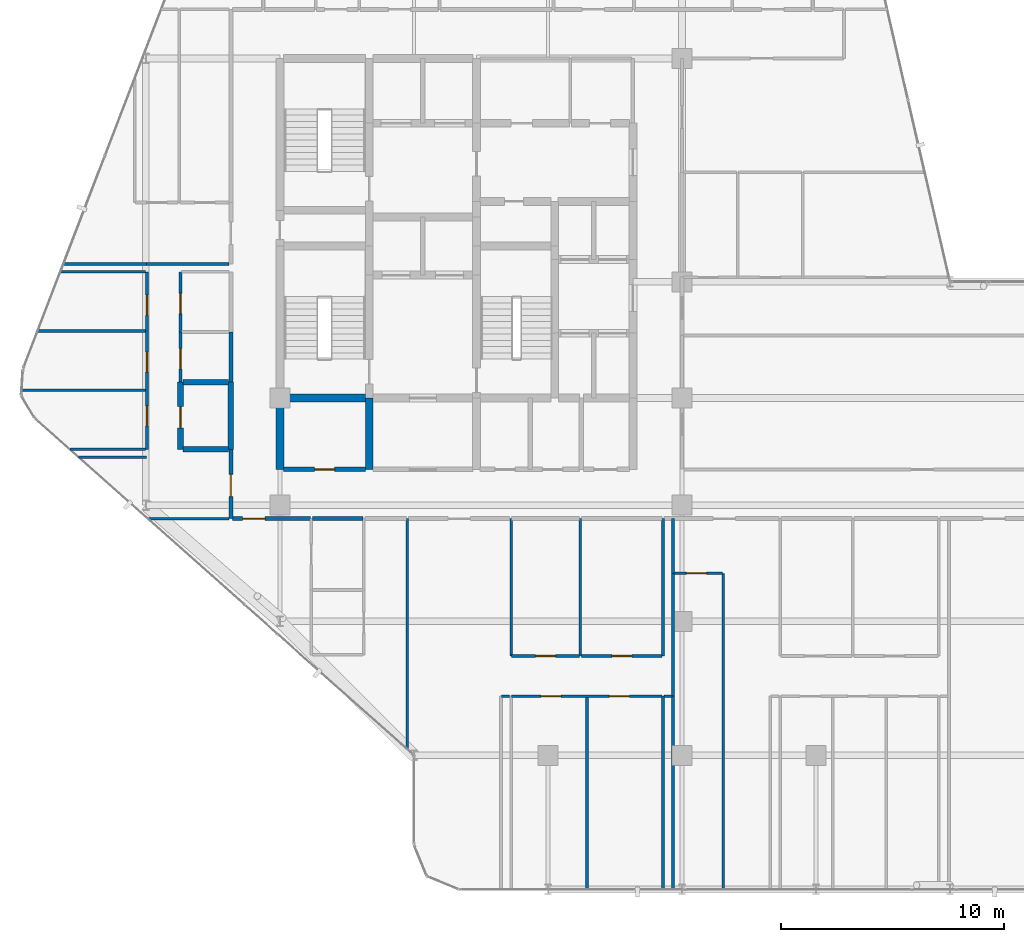
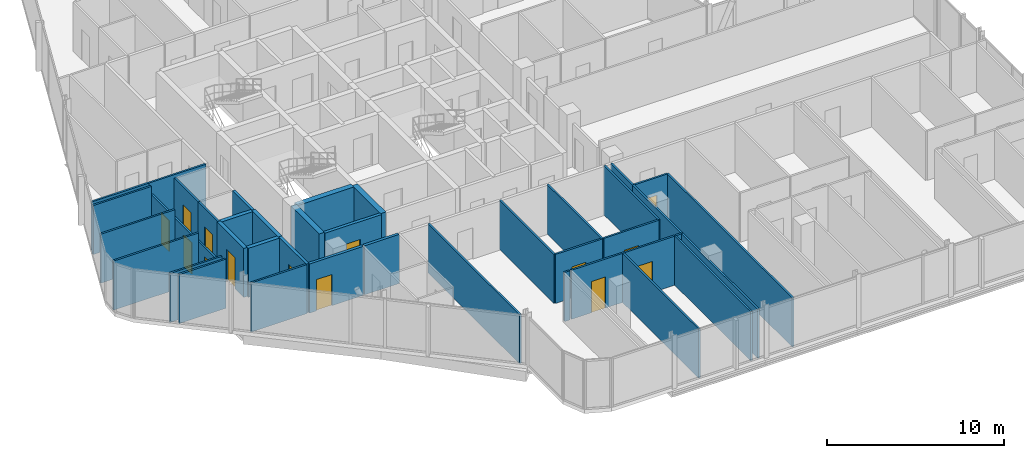
# One storey, part 23 of 29: 39 walls, 14 doors, 14 openings.
"""IFC4 building model written with IfcOpenShell, lengths in metres."""

from ifc_helpers import new_model, si_unit, direction, frame, frame_2d, origin, place, context, subcontext, project, spatial, rectangle, extrude, material, layer, layer_set, type_object, element, fill, save


model = new_model("IFC4")

# Units and contexts
model_context = context("Model", 3, precision=1e-05, world=origin(), true_north=direction((0.0, 1.0)))
body_context = subcontext(model_context, "Body", "Model", "MODEL_VIEW")
ifc_project = project(units=[si_unit("LENGTHUNIT", "METRE"), si_unit("AREAUNIT", "SQUARE_METRE"), si_unit("VOLUMEUNIT", "CUBIC_METRE"), si_unit("PLANEANGLEUNIT", "RADIAN"), si_unit("MASSUNIT", "GRAM", prefix="KILO")], contexts=[model_context])

# Site, building, storey
site_placement = place(None, origin())
site = spatial("IfcSite", under=ifc_project, at=site_placement, CompositionType="ELEMENT")
building_placement = place(site_placement, origin())
building = spatial("IfcBuilding", under=site, at=building_placement, Name="Keshet Zoharim Tower", CompositionType="ELEMENT")
storey_placement = place(building_placement, frame((0.0, 0.0, 180.199951171875)))
storey = spatial("IfcBuildingStorey", under=building, at=storey_placement, Name="L44", CompositionType="ELEMENT", Elevation=180.199951171875)

# Walls
ifc_material_1 = material(Name="Concrete C60/75", Category="concrete")
ifc_layer_1 = layer(ifc_material_1, 0.35009765625)
ifc_layer_set_1 = layer_set([ifc_layer_1], Name="Concrete C60/75")
wall_type_1 = type_object("IfcWallType", Name="WL-CORE-350", PredefinedType="SHEAR", material=ifc_layer_set_1)
for number, where, z_axis, x_axis, name in (
    (1, (15.0, 19.5, 0.0), (0.0, 0.0, 1.0), (0.0, 1.0, 0.0), "L44 Core Shear Wall 015"),
    (2, (19.0, 19.5, 0.0), (0.0, 0.0, 1.0), (0.0, 1.0, 0.0), "L44 Core Shear Wall 026"),
):
    element("IfcWall", number, at=place(storey_placement, frame(where, z_axis=z_axis, x_axis=x_axis)), inside=storey, type_object=wall_type_1, Name=name, PredefinedType="SHEAR", context=body_context, shape_type="SweptSolid", body=[
        extrude(rectangle(XDim=3.199951171875, YDim=0.35009765625, at=frame_2d((1.60009765625, 0.0))), origin(), (0.0, 0.0, 1.0), 3.380126953125),
    ])
wall_1_placement = place(storey_placement, frame((15.159912109375, 22.699951171875, 0.0), z_axis=(0.0, 0.0, 1.0), x_axis=(1.0, 0.0, 0.0)))
element("IfcWall", 3, at=wall_1_placement, inside=storey, type_object=wall_type_1, Name="L44 Core Shear Wall 144", PredefinedType="SHEAR", context=body_context, shape_type="SweptSolid", body=[
    extrude(rectangle(XDim=3.68017578125, YDim=0.35009765625, at=frame_2d((1.840087890625, 0.0))), origin(), (0.0, 0.0, 1.0), 3.380126953125),
])

# Wall, opening, door
ifc_material_2 = material(Name="Gypsum Plasterboard", Category="gypsum")
ifc_layer_2 = layer(ifc_material_2, 0.179931640625)
ifc_layer_set_2 = layer_set([ifc_layer_2], Name="Gypsum Plasterboard")
wall_type_2 = type_object("IfcWallType", Name="WL-CORR-180", PredefinedType="STANDARD", material=ifc_layer_set_2)
wall_2_placement = place(storey_placement, frame((12.800048828125, 17.300048828125, 0.0), z_axis=(0.0, 0.0, 1.0), x_axis=(0.0, 1.0, 0.0)))
wall_2 = element("IfcWall", 4, at=wall_2_placement, inside=storey, type_object=wall_type_2, Name="L44 Interior Wall 007", PredefinedType="STANDARD", context=body_context, shape_type="SweptSolid", body=[
    extrude(rectangle(XDim=3.099853515625, YDim=0.179931640625, at=frame_2d((1.5498046875, 0.0))), origin(), (0.0, 0.0, 1.0), 3.380126953125),
])
opening_1_placement = place(wall_2_placement, frame((0.97802734375, 0.0, 0.0)))
opening_1 = element("IfcOpeningElement", 5, at=opening_1_placement, cuts=wall_2, Name="Opening D-F310", PredefinedType="OPENING", context=body_context, shape_type="SweptSolid", body=[
    extrude(rectangle(XDim=1.0, YDim=2.14990234375, at=frame_2d((0.5, 1.074951171875))), frame((0.0, 0.10009765625, 0.0), z_axis=(0.0, -1.0, 0.0), x_axis=(1.0, 0.0, 0.0)), (0.0, 0.0, 1.0), 0.199951171875),
])
ifc_material_3 = material(Name="Hardwood Timber", Category="wood")
door_type_1 = type_object("IfcDoorType", Name="DR-FD30-100", OperationType="NOTDEFINED", PredefinedType="DOOR", material=ifc_material_3)
door_1_placement = place(opening_1_placement, origin())
door_1 = element("IfcDoor", 6, at=door_1_placement, inside=storey, type_object=door_type_1, Name="Apartment 4409 Entrance Door", OperationType="SINGLE_SWING_RIGHT", OverallHeight=2.14990234375, OverallWidth=1.0, PredefinedType="DOOR", context=body_context, shape_type="SweptSolid", body=[
    extrude(rectangle(XDim=1.0, YDim=2.14990234375, at=frame_2d((0.5, 1.074951171875))), frame((0.0, 0.02490234375, 0.0), z_axis=(0.0, -1.0, 0.0), x_axis=(1.0, 0.0, 0.0)), (0.0, 0.0, 1.0), 0.050048828125),
])
fill(opening_1, door_1)

# Wall
wall_3_placement = place(storey_placement, frame((12.800048828125, 23.4208984375, 0.0), z_axis=(0.0, 0.0, 1.0), x_axis=(0.0, 1.0, 0.0)))
element("IfcWall", 7, at=wall_3_placement, inside=storey, type_object=wall_type_2, Name="L44 Interior Wall 009", PredefinedType="STANDARD", context=body_context, shape_type="SweptSolid", body=[
    extrude(rectangle(XDim=2.22607421875, YDim=0.179931640625, at=frame_2d((1.113037109375, 0.0))), origin(), (0.0, 0.0, 1.0), 3.380126953125),
])

# Wall, opening, door
wall_4_placement = place(storey_placement, frame((12.875, 17.300048828125, 0.0), z_axis=(0.0, 0.0, 1.0), x_axis=(1.0, 0.0, 0.0)))
wall_4 = element("IfcWall", 8, at=wall_4_placement, inside=storey, type_object=wall_type_2, Name="L44 Interior Wall 122", PredefinedType="STANDARD", context=body_context, shape_type="SweptSolid", body=[
    extrude(rectangle(XDim=3.5, YDim=0.179931640625, at=frame_2d((1.75, 0.0))), origin(), (0.0, 0.0, 1.0), 3.380126953125),
])
opening_2_placement = place(wall_4_placement, frame((0.458984375, 0.0, 0.0)))
opening_2 = element("IfcOpeningElement", 9, at=opening_2_placement, cuts=wall_4, Name="Opening D-F310", PredefinedType="OPENING", context=body_context, shape_type="SweptSolid", body=[
    extrude(rectangle(XDim=1.0, YDim=2.14990234375, at=frame_2d((0.5, 1.074951171875))), frame((0.0, 0.10009765625, 0.0), z_axis=(0.0, -1.0, 0.0), x_axis=(1.0, 0.0, 0.0)), (0.0, 0.0, 1.0), 0.199951171875),
])
door_2_placement = place(opening_2_placement, origin())
door_2 = element("IfcDoor", 10, at=door_2_placement, inside=storey, type_object=door_type_1, Name="Apartment 4401 Entrance Door", OperationType="SINGLE_SWING_RIGHT", OverallHeight=2.14990234375, OverallWidth=1.0, PredefinedType="DOOR", context=body_context, shape_type="SweptSolid", body=[
    extrude(rectangle(XDim=1.0, YDim=2.14990234375, at=frame_2d((0.5, 1.074951171875))), frame((0.0, 0.02490234375, 0.0), z_axis=(0.0, -1.0, 0.0), x_axis=(1.0, 0.0, 0.0)), (0.0, 0.0, 1.0), 0.050048828125),
])
fill(opening_2, door_2)

# Wall
wall_5_placement = place(storey_placement, frame((16.465087890625, 17.300048828125, 0.0), z_axis=(0.0, 0.0, 1.0), x_axis=(1.0, 0.0, 0.0)))
element("IfcWall", 11, at=wall_5_placement, inside=storey, type_object=wall_type_2, Name="L44 Interior Wall 123", PredefinedType="STANDARD", context=body_context, shape_type="SweptSolid", body=[
    extrude(rectangle(XDim=2.260009765625, YDim=0.179931640625, at=frame_2d((1.1298828125, 0.0))), origin(), (0.0, 0.0, 1.0), 3.380126953125),
])

# Wall, opening, door
ifc_material_4 = material(Name="Concrete C50/60", Category="concrete")
ifc_layer_3 = layer(ifc_material_4, 0.199951171875)
ifc_layer_set_3 = layer_set([ifc_layer_3], Name="Concrete C50/60")
wall_type_3 = type_object("IfcWallType", Name="WL-FIRE-200", PredefinedType="STANDARD", material=ifc_layer_set_3)
wall_6_placement = place(storey_placement, frame((15.159912109375, 19.5, 0.0), z_axis=(0.0, 0.0, 1.0), x_axis=(1.0, 0.0, 0.0)))
wall_6 = element("IfcWall", 12, at=wall_6_placement, inside=storey, type_object=wall_type_3, Name="L44 Interior Wall 136", PredefinedType="STANDARD", context=body_context, shape_type="SweptSolid", body=[
    extrude(rectangle(XDim=3.68017578125, YDim=0.199951171875, at=frame_2d((1.840087890625, 0.0))), origin(), (0.0, 0.0, 1.0), 3.380126953125),
])
opening_3_placement = place(wall_6_placement, frame((1.389892578125, 0.0, 0.0)))
opening_3 = element("IfcOpeningElement", 13, at=opening_3_placement, cuts=wall_6, Name="Opening D-F690", PredefinedType="OPENING", context=body_context, shape_type="SweptSolid", body=[
    extrude(rectangle(XDim=0.89990234375, YDim=2.14990234375, at=frame_2d((0.449951171875, 1.074951171875))), frame((0.0, 0.10986328125, 0.0), z_axis=(0.0, -1.0, 0.0), x_axis=(1.0, 0.0, 0.0)), (0.0, 0.0, 1.0), 0.219970703125),
])
door_type_2 = type_object("IfcDoorType", Name="DR-FD60-090", OperationType="NOTDEFINED", PredefinedType="DOOR", material=ifc_material_3)
door_3_placement = place(opening_3_placement, origin())
door_3 = element("IfcDoor", 14, at=door_3_placement, inside=storey, type_object=door_type_2, Name="L44 Pram Store Door", OperationType="SINGLE_SWING_RIGHT", OverallHeight=2.14990234375, OverallWidth=0.89990234375, PredefinedType="DOOR", context=body_context, shape_type="SweptSolid", body=[
    extrude(rectangle(XDim=0.89990234375, YDim=2.14990234375, at=frame_2d((0.449951171875, 1.074951171875))), frame((0.0, 0.02490234375, 0.0), z_axis=(0.0, -1.0, 0.0), x_axis=(1.0, 0.0, 0.0)), (0.0, 0.0, 1.0), 0.050048828125),
])
fill(opening_3, door_3)

ifc_layer_4 = layer(ifc_material_4, 0.25)
ifc_layer_set_4 = layer_set([ifc_layer_4], Name="Concrete C50/60")
wall_type_4 = type_object("IfcWallType", Name="WL-MAMAD-250", PredefinedType="STANDARD", material=ifc_layer_set_4)
wall_7_placement = place(storey_placement, frame((10.550048828125, 20.39990234375, 0.0), z_axis=(0.0, 0.0, 1.0), x_axis=(0.0, 1.0, 0.0)))
wall_7 = element("IfcWall", 15, at=wall_7_placement, inside=storey, type_object=wall_type_4, Name="L44 Interior Wall 004", PredefinedType="STANDARD", context=body_context, shape_type="SweptSolid", body=[
    extrude(rectangle(XDim=3.02099609375, YDim=0.25, at=frame_2d((1.510498046875, 0.0))), origin(), (0.0, 0.0, 1.0), 3.380126953125),
])
opening_4_placement = place(wall_7_placement, frame((0.964111328125, 0.0, 0.0)))
opening_4 = element("IfcOpeningElement", 16, at=opening_4_placement, cuts=wall_7, Name="Opening D-F695", PredefinedType="OPENING", context=body_context, shape_type="SweptSolid", body=[
    extrude(rectangle(XDim=0.949951171875, YDim=2.14990234375, at=frame_2d((0.47509765625, 1.074951171875))), frame((0.0, 0.135009765625, 0.0), z_axis=(0.0, -1.0, 0.0), x_axis=(1.0, 0.0, 0.0)), (0.0, 0.0, 1.0), 0.27001953125),
])
door_type_3 = type_object("IfcDoorType", Name="DR-FD60-095", OperationType="NOTDEFINED", PredefinedType="DOOR", material=ifc_material_3)
door_4_placement = place(opening_4_placement, origin())
door_4 = element("IfcDoor", 17, at=door_4_placement, inside=storey, type_object=door_type_3, Name="Apartment 4409 Study and Shelter Room Door", OperationType="SINGLE_SWING_LEFT", OverallHeight=2.14990234375, OverallWidth=0.949951171875, PredefinedType="DOOR", context=body_context, shape_type="SweptSolid", body=[
    extrude(rectangle(XDim=0.949951171875, YDim=2.14990234375, at=frame_2d((0.47509765625, 1.074951171875))), frame((0.0, 0.02490234375, 0.0), z_axis=(0.0, -1.0, 0.0), x_axis=(1.0, 0.0, 0.0)), (0.0, 0.0, 1.0), 0.050048828125),
])
fill(opening_4, door_4)

# Walls
wall_8_placement = place(storey_placement, frame((12.800048828125, 20.39990234375, 0.0), z_axis=(0.0, 0.0, 1.0), x_axis=(0.0, 1.0, 0.0)))
element("IfcWall", 18, at=wall_8_placement, inside=storey, type_object=wall_type_4, Name="L44 Interior Wall 008", PredefinedType="STANDARD", context=body_context, shape_type="SweptSolid", body=[
    extrude(rectangle(XDim=3.02099609375, YDim=0.25, at=frame_2d((1.510498046875, 0.0))), origin(), (0.0, 0.0, 1.0), 3.380126953125),
])
for number, where, z_axis, x_axis, name in (
    (19, (10.659912109375, 20.39990234375, 0.0), (0.0, 0.0, 1.0), (1.0, 0.0, 0.0), "L44 Interior Wall 143"),
    (20, (10.659912109375, 23.39990234375, 0.0), (0.0, 0.0, 1.0), (1.0, 0.0, 0.0), "L44 Interior Wall 150"),
):
    element("IfcWall", number, at=place(storey_placement, frame(where, z_axis=z_axis, x_axis=x_axis)), inside=storey, type_object=wall_type_4, Name=name, PredefinedType="STANDARD", context=body_context, shape_type="SweptSolid", body=[
        extrude(rectangle(XDim=2.030029296875, YDim=0.25, at=frame_2d((1.01513671875, 0.0))), origin(), (0.0, 0.0, 1.0), 3.380126953125),
    ])

# Wall, openings, doors
ifc_layer_5 = layer(ifc_material_2, 0.1201171875)
ifc_layer_set_5 = layer_set([ifc_layer_5], Name="Gypsum Plasterboard")
wall_type_5 = type_object("IfcWallType", Name="WL-PART-120", PredefinedType="PARTITIONING", material=ifc_layer_set_5)
wall_9_placement = place(storey_placement, frame((9.050048828125, 20.39990234375, 0.0), z_axis=(0.0, 0.0, 1.0), x_axis=(0.0, 1.0, 0.0)))
wall_9 = element("IfcWall", 21, at=wall_9_placement, inside=storey, type_object=wall_type_5, Name="L44 Interior Wall 002", PredefinedType="PARTITIONING", context=body_context, shape_type="SweptSolid", body=[
    extrude(rectangle(XDim=7.9501953125, YDim=0.1201171875, at=frame_2d((3.97509765625, 0.0))), origin(), (0.0, 0.0, 1.0), 2.780029296875),
])
opening_5_placement = place(wall_9_placement, frame((1.050048828125, 0.0, 0.0)))
opening_5 = element("IfcOpeningElement", 22, at=opening_5_placement, cuts=wall_9, Name="Opening D-IN90", PredefinedType="OPENING", context=body_context, shape_type="SweptSolid", body=[
    extrude(rectangle(XDim=0.89990234375, YDim=2.14990234375, at=frame_2d((0.449951171875, 1.074951171875))), frame((0.0, 0.070068359375, 0.0), z_axis=(0.0, -1.0, 0.0), x_axis=(1.0, 0.0, 0.0)), (0.0, 0.0, 1.0), 0.14013671875),
])
opening_6_placement = place(wall_9_placement, frame((3.455078125, 0.0, 0.0)))
opening_6 = element("IfcOpeningElement", 23, at=opening_6_placement, cuts=wall_9, Name="Opening D-IN90", PredefinedType="OPENING", context=body_context, shape_type="SweptSolid", body=[
    extrude(rectangle(XDim=0.89990234375, YDim=2.14990234375, at=frame_2d((0.449951171875, 1.074951171875))), frame((0.0, 0.070068359375, 0.0), z_axis=(0.0, -1.0, 0.0), x_axis=(1.0, 0.0, 0.0)), (0.0, 0.0, 1.0), 0.14013671875),
])
opening_7_placement = place(wall_9_placement, frame((6.0, 0.0, 0.0)))
opening_7 = element("IfcOpeningElement", 24, at=opening_7_placement, cuts=wall_9, Name="Opening D-IN90", PredefinedType="OPENING", context=body_context, shape_type="SweptSolid", body=[
    extrude(rectangle(XDim=0.89990234375, YDim=2.14990234375, at=frame_2d((0.449951171875, 1.074951171875))), frame((0.0, 0.070068359375, 0.0), z_axis=(0.0, -1.0, 0.0), x_axis=(1.0, 0.0, 0.0)), (0.0, 0.0, 1.0), 0.14013671875),
])
door_type_4 = type_object("IfcDoorType", Name="DR-INT-090", OperationType="NOTDEFINED", PredefinedType="DOOR", material=ifc_material_3)
door_5_placement = place(opening_5_placement, origin())
door_5 = element("IfcDoor", 25, at=door_5_placement, inside=storey, type_object=door_type_4, Name="Apartment 4409 Bedroom 1 Door", OperationType="SINGLE_SWING_RIGHT", OverallHeight=2.14990234375, OverallWidth=0.89990234375, PredefinedType="DOOR", context=body_context, shape_type="SweptSolid", body=[
    extrude(rectangle(XDim=0.89990234375, YDim=2.14990234375, at=frame_2d((0.449951171875, 1.074951171875))), frame((0.0, 0.02490234375, 0.0), z_axis=(0.0, -1.0, 0.0), x_axis=(1.0, 0.0, 0.0)), (0.0, 0.0, 1.0), 0.050048828125),
])
fill(opening_5, door_5)
door_6_placement = place(opening_6_placement, origin())
door_6 = element("IfcDoor", 26, at=door_6_placement, inside=storey, type_object=door_type_4, Name="Apartment 4409 Bedroom 2 Door", OperationType="SINGLE_SWING_LEFT", OverallHeight=2.14990234375, OverallWidth=0.89990234375, PredefinedType="DOOR", context=body_context, shape_type="SweptSolid", body=[
    extrude(rectangle(XDim=0.89990234375, YDim=2.14990234375, at=frame_2d((0.449951171875, 1.074951171875))), frame((0.0, 0.02490234375, 0.0), z_axis=(0.0, -1.0, 0.0), x_axis=(1.0, 0.0, 0.0)), (0.0, 0.0, 1.0), 0.050048828125),
])
fill(opening_6, door_6)
door_7_placement = place(opening_7_placement, origin())
door_7 = element("IfcDoor", 27, at=door_7_placement, inside=storey, type_object=door_type_4, Name="Apartment 4409 Bedroom 3 Door", OperationType="SINGLE_SWING_RIGHT", OverallHeight=2.14990234375, OverallWidth=0.89990234375, PredefinedType="DOOR", context=body_context, shape_type="SweptSolid", body=[
    extrude(rectangle(XDim=0.89990234375, YDim=2.14990234375, at=frame_2d((0.449951171875, 1.074951171875))), frame((0.0, 0.02490234375, 0.0), z_axis=(0.0, -1.0, 0.0), x_axis=(1.0, 0.0, 0.0)), (0.0, 0.0, 1.0), 0.050048828125),
])
fill(opening_7, door_7)

# Wall, opening, door
wall_10_placement = place(storey_placement, frame((10.550048828125, 25.64697265625, 0.0), z_axis=(0.0, 0.0, 1.0), x_axis=(0.0, 1.0, 0.0)))
wall_10 = element("IfcWall", 28, at=wall_10_placement, inside=storey, type_object=wall_type_5, Name="L44 Interior Wall 006", PredefinedType="PARTITIONING", context=body_context, shape_type="SweptSolid", body=[
    extrude(rectangle(XDim=2.703125, YDim=0.1201171875, at=frame_2d((1.3515625, 0.0))), origin(), (0.0, 0.0, 1.0), 3.380126953125),
])
opening_8_placement = place(wall_10_placement, frame((0.830078125, 0.0, 0.0)))
opening_8 = element("IfcOpeningElement", 29, at=opening_8_placement, cuts=wall_10, Name="Opening D-IN90", PredefinedType="OPENING", context=body_context, shape_type="SweptSolid", body=[
    extrude(rectangle(XDim=0.89990234375, YDim=2.14990234375, at=frame_2d((0.449951171875, 1.074951171875))), frame((0.0, 0.070068359375, 0.0), z_axis=(0.0, -1.0, 0.0), x_axis=(1.0, 0.0, 0.0)), (0.0, 0.0, 1.0), 0.14013671875),
])
door_8_placement = place(opening_8_placement, origin())
door_8 = element("IfcDoor", 30, at=door_8_placement, inside=storey, type_object=door_type_4, Name="Apartment 4409 Kitchen Door", OperationType="SINGLE_SWING_LEFT", OverallHeight=2.14990234375, OverallWidth=0.89990234375, PredefinedType="DOOR", context=body_context, shape_type="SweptSolid", body=[
    extrude(rectangle(XDim=0.89990234375, YDim=2.14990234375, at=frame_2d((0.449951171875, 1.074951171875))), frame((0.0, 0.02490234375, 0.0), z_axis=(0.0, -1.0, 0.0), x_axis=(1.0, 0.0, 0.0)), (0.0, 0.0, 1.0), 0.050048828125),
])
fill(opening_8, door_8)

# Walls
wall_11_placement = place(storey_placement, frame((20.699951171875, 6.97705078125, 0.0), z_axis=(0.0, 0.0, 1.0), x_axis=(0.0, 1.0, 0.0)))
element("IfcWall", 31, at=wall_11_placement, inside=storey, type_object=wall_type_5, Name="L44 Interior Wall 031", PredefinedType="PARTITIONING", context=body_context, shape_type="SweptSolid", body=[
    extrude(rectangle(XDim=10.322998046875, YDim=0.1201171875, at=frame_2d((5.16162109375, 0.0))), origin(), (0.0, 0.0, 1.0), 3.380126953125),
])
wall_12_placement = place(storey_placement, frame((25.35009765625, 11.14990234375, 0.0), z_axis=(0.0, 0.0, 1.0), x_axis=(0.0, 1.0, 0.0)))
element("IfcWall", 32, at=wall_12_placement, inside=storey, type_object=wall_type_5, Name="L44 Interior Wall 046", PredefinedType="PARTITIONING", context=body_context, shape_type="SweptSolid", body=[
    extrude(rectangle(XDim=6.150146484375, YDim=0.1201171875, at=frame_2d((3.0751953125, 0.0))), origin(), (0.0, 0.0, 1.0), 3.380126953125),
])
for number, where, z_axis, x_axis, name in (
    (33, (28.75, 0.7099609375, 0.0), (0.0, 0.0, 1.0), (0.0, 1.0, 0.0), "L44 Interior Wall 058"),
    (34, (32.14990234375, 0.7099609375, 0.0), (0.0, 0.0, 1.0), (0.0, 1.0, 0.0), "L44 Interior Wall 070"),
    (35, (32.60009765625, 0.7099609375, 0.0), (0.0, 0.0, 1.0), (0.0, 1.0, 0.0), "L44 Interior Wall 072"),
):
    element("IfcWall", number, at=place(storey_placement, frame(where, z_axis=z_axis, x_axis=x_axis)), inside=storey, type_object=wall_type_5, Name=name, PredefinedType="PARTITIONING", context=body_context, shape_type="SweptSolid", body=[
        extrude(rectangle(XDim=8.64013671875, YDim=0.1201171875, at=frame_2d((4.320068359375, 0.0))), origin(), (0.0, 0.0, 1.0), 3.380126953125),
    ])
wall_13_placement = place(storey_placement, frame((32.60009765625, 9.35009765625, 0.0), z_axis=(0.0, 0.0, 1.0), x_axis=(0.0, 1.0, 0.0)))
element("IfcWall", 36, at=wall_13_placement, inside=storey, type_object=wall_type_5, Name="L44 Interior Wall 073", PredefinedType="PARTITIONING", context=body_context, shape_type="SweptSolid", body=[
    extrude(rectangle(XDim=5.5, YDim=0.1201171875, at=frame_2d((2.75, 0.0))), origin(), (0.0, 0.0, 1.0), 3.380126953125),
])
wall_14_placement = place(storey_placement, frame((32.60009765625, 14.85009765625, 0.0), z_axis=(0.0, 0.0, 1.0), x_axis=(0.0, 1.0, 0.0)))
element("IfcWall", 37, at=wall_14_placement, inside=storey, type_object=wall_type_5, Name="L44 Interior Wall 074", PredefinedType="PARTITIONING", context=body_context, shape_type="SweptSolid", body=[
    extrude(rectangle(XDim=2.449951171875, YDim=0.1201171875, at=frame_2d((1.22509765625, 0.0))), origin(), (0.0, 0.0, 1.0), 3.380126953125),
])
wall_15_placement = place(storey_placement, frame((34.85009765625, 0.7099609375, 0.0), z_axis=(0.0, 0.0, 1.0), x_axis=(0.0, 1.0, 0.0)))
element("IfcWall", 38, at=wall_15_placement, inside=storey, type_object=wall_type_5, Name="L44 Interior Wall 079", PredefinedType="PARTITIONING", context=body_context, shape_type="SweptSolid", body=[
    extrude(rectangle(XDim=14.14013671875, YDim=0.1201171875, at=frame_2d((7.070068359375, 0.0))), origin(), (0.0, 0.0, 1.0), 3.380126953125),
])
wall_16_placement = place(storey_placement, frame((24.925048828125, 9.35009765625, 0.0), z_axis=(0.0, 0.0, 1.0), x_axis=(1.0, 0.0, 0.0)))
element("IfcWall", 39, at=wall_16_placement, inside=storey, type_object=wall_type_5, Name="L44 Interior Wall 104", PredefinedType="PARTITIONING", context=body_context, shape_type="SweptSolid", body=[
    extrude(rectangle(XDim=0.35986328125, YDim=0.1201171875, at=frame_2d((0.179931640625, 0.0))), origin(), (0.0, 0.0, 1.0), 3.380126953125),
])

# Wall, openings, doors
wall_17_placement = place(storey_placement, frame((25.375, 9.35009765625, 0.0), z_axis=(0.0, 0.0, 1.0), x_axis=(1.0, 0.0, 0.0)))
wall_17 = element("IfcWall", 40, at=wall_17_placement, inside=storey, type_object=wall_type_5, Name="L44 Interior Wall 105", PredefinedType="PARTITIONING", context=body_context, shape_type="SweptSolid", body=[
    extrude(rectangle(XDim=6.72998046875, YDim=0.1201171875, at=frame_2d((3.364990234375, 0.0))), origin(), (0.0, 0.0, 1.0), 3.380126953125),
])
opening_9_placement = place(wall_17_placement, frame((1.31005859375, 0.0, 0.0)))
opening_9 = element("IfcOpeningElement", 41, at=opening_9_placement, cuts=wall_17, Name="Opening D-IN90", PredefinedType="OPENING", context=body_context, shape_type="SweptSolid", body=[
    extrude(rectangle(XDim=0.89990234375, YDim=2.14990234375, at=frame_2d((0.449951171875, 1.074951171875))), frame((0.0, 0.070068359375, 0.0), z_axis=(0.0, -1.0, 0.0), x_axis=(1.0, 0.0, 0.0)), (0.0, 0.0, 1.0), 0.14013671875),
])
opening_10_placement = place(wall_17_placement, frame((4.3701171875, 0.0, 0.0)))
opening_10 = element("IfcOpeningElement", 42, at=opening_10_placement, cuts=wall_17, Name="Opening D-IN90", PredefinedType="OPENING", context=body_context, shape_type="SweptSolid", body=[
    extrude(rectangle(XDim=0.89990234375, YDim=2.14990234375, at=frame_2d((0.449951171875, 1.074951171875))), frame((0.0, 0.070068359375, 0.0), z_axis=(0.0, -1.0, 0.0), x_axis=(1.0, 0.0, 0.0)), (0.0, 0.0, 1.0), 0.14013671875),
])
door_9_placement = place(opening_9_placement, origin())
door_9 = element("IfcDoor", 43, at=door_9_placement, inside=storey, type_object=door_type_4, Name="Apartment 4402 Bedroom 1 Door", OperationType="SINGLE_SWING_RIGHT", OverallHeight=2.14990234375, OverallWidth=0.89990234375, PredefinedType="DOOR", context=body_context, shape_type="SweptSolid", body=[
    extrude(rectangle(XDim=0.89990234375, YDim=2.14990234375, at=frame_2d((0.449951171875, 1.074951171875))), frame((0.0, 0.02490234375, 0.0), z_axis=(0.0, -1.0, 0.0), x_axis=(1.0, 0.0, 0.0)), (0.0, 0.0, 1.0), 0.050048828125),
])
fill(opening_9, door_9)
door_10_placement = place(opening_10_placement, origin())
door_10 = element("IfcDoor", 44, at=door_10_placement, inside=storey, type_object=door_type_4, Name="Apartment 4402 Bedroom 2 Door", OperationType="SINGLE_SWING_LEFT", OverallHeight=2.14990234375, OverallWidth=0.89990234375, PredefinedType="DOOR", context=body_context, shape_type="SweptSolid", body=[
    extrude(rectangle(XDim=0.89990234375, YDim=2.14990234375, at=frame_2d((0.449951171875, 1.074951171875))), frame((0.0, 0.02490234375, 0.0), z_axis=(0.0, -1.0, 0.0), x_axis=(1.0, 0.0, 0.0)), (0.0, 0.0, 1.0), 0.050048828125),
])
fill(opening_10, door_10)

# Wall
wall_18_placement = place(storey_placement, frame((32.195068359375, 9.35009765625, 0.0), z_axis=(0.0, 0.0, 1.0), x_axis=(1.0, 0.0, 0.0)))
element("IfcWall", 45, at=wall_18_placement, inside=storey, type_object=wall_type_5, Name="L44 Interior Wall 106", PredefinedType="PARTITIONING", context=body_context, shape_type="SweptSolid", body=[
    extrude(rectangle(XDim=0.35986328125, YDim=0.1201171875, at=frame_2d((0.179931640625, 0.0))), origin(), (0.0, 0.0, 1.0), 3.380126953125),
])

# Wall, opening, door
wall_19_placement = place(storey_placement, frame((25.375, 11.14990234375, 0.0), z_axis=(0.0, 0.0, 1.0), x_axis=(1.0, 0.0, 0.0)))
wall_19 = element("IfcWall", 46, at=wall_19_placement, inside=storey, type_object=wall_type_5, Name="L44 Interior Wall 112", PredefinedType="PARTITIONING", context=body_context, shape_type="SweptSolid", body=[
    extrude(rectangle(XDim=3.047119140625, YDim=0.1201171875, at=frame_2d((1.5234375, 0.0))), origin(), (0.0, 0.0, 1.0), 3.380126953125),
])
opening_11_placement = place(wall_19_placement, frame((1.072998046875, 0.0, 0.0)))
opening_11 = element("IfcOpeningElement", 47, at=opening_11_placement, cuts=wall_19, Name="Opening D-IN90", PredefinedType="OPENING", context=body_context, shape_type="SweptSolid", body=[
    extrude(rectangle(XDim=0.89990234375, YDim=2.14990234375, at=frame_2d((0.449951171875, 1.074951171875))), frame((0.0, 0.070068359375, 0.0), z_axis=(0.0, -1.0, 0.0), x_axis=(1.0, 0.0, 0.0)), (0.0, 0.0, 1.0), 0.14013671875),
])
door_11_placement = place(opening_11_placement, origin())
door_11 = element("IfcDoor", 48, at=door_11_placement, inside=storey, type_object=door_type_4, Name="Apartment 4402 Kitchen Door", OperationType="SINGLE_SWING_LEFT", OverallHeight=2.14990234375, OverallWidth=0.89990234375, PredefinedType="DOOR", context=body_context, shape_type="SweptSolid", body=[
    extrude(rectangle(XDim=0.89990234375, YDim=2.14990234375, at=frame_2d((0.449951171875, 1.074951171875))), frame((0.0, 0.02490234375, 0.0), z_axis=(0.0, -1.0, 0.0), x_axis=(1.0, 0.0, 0.0)), (0.0, 0.0, 1.0), 0.050048828125),
])
fill(opening_11, door_11)

wall_20_placement = place(storey_placement, frame((32.64501953125, 14.85009765625, 0.0), z_axis=(0.0, 0.0, 1.0), x_axis=(1.0, 0.0, 0.0)))
wall_20 = element("IfcWall", 49, at=wall_20_placement, inside=storey, type_object=wall_type_5, Name="L44 Interior Wall 120", PredefinedType="PARTITIONING", context=body_context, shape_type="SweptSolid", body=[
    extrude(rectangle(XDim=2.159912109375, YDim=0.1201171875, at=frame_2d((1.080078125, 0.0))), origin(), (0.0, 0.0, 1.0), 3.380126953125),
])
opening_12_placement = place(wall_20_placement, frame((0.552978515625, 0.0, 0.0)))
opening_12 = element("IfcOpeningElement", 50, at=opening_12_placement, cuts=wall_20, Name="Opening D-IN90", PredefinedType="OPENING", context=body_context, shape_type="SweptSolid", body=[
    extrude(rectangle(XDim=0.89990234375, YDim=2.14990234375, at=frame_2d((0.449951171875, 1.074951171875))), frame((0.0, 0.070068359375, 0.0), z_axis=(0.0, -1.0, 0.0), x_axis=(1.0, 0.0, 0.0)), (0.0, 0.0, 1.0), 0.14013671875),
])
door_12_placement = place(opening_12_placement, origin())
door_12 = element("IfcDoor", 51, at=door_12_placement, inside=storey, type_object=door_type_4, Name="Apartment 4403 Formal Dining Room Door", OperationType="SINGLE_SWING_LEFT", OverallHeight=2.14990234375, OverallWidth=0.89990234375, PredefinedType="DOOR", context=body_context, shape_type="SweptSolid", body=[
    extrude(rectangle(XDim=0.89990234375, YDim=2.14990234375, at=frame_2d((0.449951171875, 1.074951171875))), frame((0.0, 0.02490234375, 0.0), z_axis=(0.0, -1.0, 0.0), x_axis=(1.0, 0.0, 0.0)), (0.0, 0.0, 1.0), 0.050048828125),
])
fill(opening_12, door_12)

# Walls
wall_21_placement = place(storey_placement, frame((9.0849609375, 17.300048828125, 0.0), z_axis=(0.0, 0.0, 1.0), x_axis=(1.0, 0.0, 0.0)))
element("IfcWall", 52, at=wall_21_placement, inside=storey, type_object=wall_type_5, Name="L44 Interior Wall 121", PredefinedType="PARTITIONING", context=body_context, shape_type="SweptSolid", body=[
    extrude(rectangle(XDim=3.64013671875, YDim=0.1201171875, at=frame_2d((1.820068359375, 0.0))), origin(), (0.0, 0.0, 1.0), 3.380126953125),
])
wall_22_placement = place(storey_placement, frame((5.990966796875, 20.050048828125, 0.0), z_axis=(0.0, 0.0, 1.0), x_axis=(1.0, 0.0, 0.0)))
element("IfcWall", 53, at=wall_22_placement, inside=storey, type_object=wall_type_5, Name="L44 Interior Wall 141", PredefinedType="PARTITIONING", context=body_context, shape_type="SweptSolid", body=[
    extrude(rectangle(XDim=3.0390625, YDim=0.1201171875, at=frame_2d((1.51953125, 0.0))), origin(), (0.0, 0.0, 1.0), 3.380126953125),
])
wall_23_placement = place(storey_placement, frame((5.597900390625, 20.39990234375, 0.0), z_axis=(0.0, 0.0, 1.0), x_axis=(1.0, 0.0, 0.0)))
element("IfcWall", 54, at=wall_23_placement, inside=storey, type_object=wall_type_5, Name="L44 Interior Wall 142", PredefinedType="PARTITIONING", context=body_context, shape_type="SweptSolid", body=[
    extrude(rectangle(XDim=3.38720703125, YDim=0.1201171875, at=frame_2d((1.693603515625, 0.0))), origin(), (0.0, 0.0, 1.0), 3.380126953125),
])
wall_24_placement = place(storey_placement, frame((3.446044921875, 23.050048828125, 0.0), z_axis=(0.0, 0.0, 1.0), x_axis=(1.0, 0.0, 0.0)))
element("IfcWall", 55, at=wall_24_placement, inside=storey, type_object=wall_type_5, Name="L44 Interior Wall 149", PredefinedType="PARTITIONING", context=body_context, shape_type="SweptSolid", body=[
    extrude(rectangle(XDim=5.5390625, YDim=0.1201171875, at=frame_2d((2.76953125, 0.0))), origin(), (0.0, 0.0, 1.0), 3.380126953125),
])
wall_25_placement = place(storey_placement, frame((4.1640625, 25.699951171875, 0.0), z_axis=(0.0, 0.0, 1.0), x_axis=(1.0, 0.0, 0.0)))
element("IfcWall", 56, at=wall_25_placement, inside=storey, type_object=wall_type_5, Name="L44 Interior Wall 154", PredefinedType="PARTITIONING", context=body_context, shape_type="SweptSolid", body=[
    extrude(rectangle(XDim=4.821044921875, YDim=0.1201171875, at=frame_2d((2.41064453125, 0.0))), origin(), (0.0, 0.0, 1.0), 3.380126953125),
])
wall_26_placement = place(storey_placement, frame((5.18310546875, 28.35009765625, 0.0), z_axis=(0.0, 0.0, 1.0), x_axis=(1.0, 0.0, 0.0)))
element("IfcWall", 57, at=wall_26_placement, inside=storey, type_object=wall_type_5, Name="L44 Interior Wall 159", PredefinedType="PARTITIONING", context=body_context, shape_type="SweptSolid", body=[
    extrude(rectangle(XDim=3.802001953125, YDim=0.1201171875, at=frame_2d((1.90087890625, 0.0))), origin(), (0.0, 0.0, 1.0), 3.380126953125),
])
wall_27_placement = place(storey_placement, frame((5.31689453125, 28.699951171875, 0.0), z_axis=(0.0, 0.0, 1.0), x_axis=(1.0, 0.0, 0.0)))
element("IfcWall", 58, at=wall_27_placement, inside=storey, type_object=wall_type_5, Name="L44 Interior Wall 161", PredefinedType="PARTITIONING", context=body_context, shape_type="SweptSolid", body=[
    extrude(rectangle(XDim=3.713134765625, YDim=0.1201171875, at=frame_2d((1.8564453125, 0.0))), origin(), (0.0, 0.0, 1.0), 3.380126953125),
])
wall_28_placement = place(storey_placement, frame((9.030029296875, 28.699951171875, 0.0), z_axis=(0.0, 0.0, 1.0), x_axis=(1.0, 0.0, 0.0)))
element("IfcWall", 59, at=wall_28_placement, inside=storey, type_object=wall_type_5, Name="L44 Interior Wall 162", PredefinedType="PARTITIONING", context=body_context, shape_type="SweptSolid", body=[
    extrude(rectangle(XDim=3.695068359375, YDim=0.1201171875, at=frame_2d((1.84765625, 0.0))), origin(), (0.0, 0.0, 1.0), 3.380126953125),
])

# Wall, opening, door
ifc_layer_6 = layer(ifc_material_2, 0.1201171875)
ifc_layer_set_6 = layer_set([ifc_layer_6], Name="Gypsum Plasterboard")
wall_type_6 = type_object("IfcWallType", Name="WL-WET-120", PredefinedType="PARTITIONING", material=ifc_layer_set_6)
wall_29_placement = place(storey_placement, frame((10.550048828125, 23.4208984375, 0.0), z_axis=(0.0, 0.0, 1.0), x_axis=(0.0, 1.0, 0.0)))
wall_29 = element("IfcWall", 60, at=wall_29_placement, inside=storey, type_object=wall_type_6, Name="L44 Interior Wall 005", PredefinedType="PARTITIONING", context=body_context, shape_type="SweptSolid", body=[
    extrude(rectangle(XDim=2.22607421875, YDim=0.1201171875, at=frame_2d((1.113037109375, 0.0))), origin(), (0.0, 0.0, 1.0), 3.380126953125),
])
opening_13_placement = place(wall_29_placement, frame((0.583984375, 0.0, 0.0)))
opening_13 = element("IfcOpeningElement", 61, at=opening_13_placement, cuts=wall_29, Name="Opening D-WT90", PredefinedType="OPENING", context=body_context, shape_type="SweptSolid", body=[
    extrude(rectangle(XDim=0.89990234375, YDim=2.10009765625, at=frame_2d((0.449951171875, 1.050048828125))), frame((0.0, 0.070068359375, 0.0), z_axis=(0.0, -1.0, 0.0), x_axis=(1.0, 0.0, 0.0)), (0.0, 0.0, 1.0), 0.14013671875),
])
door_type_5 = type_object("IfcDoorType", Name="DR-WET-090", OperationType="NOTDEFINED", PredefinedType="DOOR", material=ifc_material_3)
door_13_placement = place(opening_13_placement, origin())
door_13 = element("IfcDoor", 62, at=door_13_placement, inside=storey, type_object=door_type_5, Name="Apartment 4409 Bathroom Door", OperationType="SINGLE_SWING_RIGHT", OverallHeight=2.10009765625, OverallWidth=0.89990234375, PredefinedType="DOOR", context=body_context, shape_type="SweptSolid", body=[
    extrude(rectangle(XDim=0.89990234375, YDim=2.10009765625, at=frame_2d((0.449951171875, 1.050048828125))), frame((0.0, 0.02490234375, 0.0), z_axis=(0.0, -1.0, 0.0), x_axis=(1.0, 0.0, 0.0)), (0.0, 0.0, 1.0), 0.050048828125),
])
fill(opening_13, door_13)

# Walls
for number, where, z_axis, x_axis, name in (
    (63, (28.449951171875, 11.14990234375, 0.0), (0.0, 0.0, 1.0), (0.0, 1.0, 0.0), "L44 Interior Wall 056"),
    (64, (32.14990234375, 11.14990234375, 0.0), (0.0, 0.0, 1.0), (0.0, 1.0, 0.0), "L44 Interior Wall 071"),
):
    element("IfcWall", number, at=place(storey_placement, frame(where, z_axis=z_axis, x_axis=x_axis)), inside=storey, type_object=wall_type_6, Name=name, PredefinedType="PARTITIONING", context=body_context, shape_type="SweptSolid", body=[
        extrude(rectangle(XDim=6.150146484375, YDim=0.1201171875, at=frame_2d((3.0751953125, 0.0))), origin(), (0.0, 0.0, 1.0), 3.380126953125),
    ])

# Wall, opening, door
wall_30_placement = place(storey_placement, frame((28.511962890625, 11.14990234375, 0.0), z_axis=(0.0, 0.0, 1.0), x_axis=(1.0, 0.0, 0.0)))
wall_30 = element("IfcWall", 65, at=wall_30_placement, inside=storey, type_object=wall_type_6, Name="L44 Interior Wall 113", PredefinedType="PARTITIONING", context=body_context, shape_type="SweptSolid", body=[
    extrude(rectangle(XDim=3.593017578125, YDim=0.1201171875, at=frame_2d((1.79638671875, 0.0))), origin(), (0.0, 0.0, 1.0), 3.380126953125),
])
opening_14_placement = place(wall_30_placement, frame((1.345947265625, 0.0, 0.0)))
opening_14 = element("IfcOpeningElement", 66, at=opening_14_placement, cuts=wall_30, Name="Opening D-WT90", PredefinedType="OPENING", context=body_context, shape_type="SweptSolid", body=[
    extrude(rectangle(XDim=0.89990234375, YDim=2.10009765625, at=frame_2d((0.449951171875, 1.050048828125))), frame((0.0, 0.070068359375, 0.0), z_axis=(0.0, -1.0, 0.0), x_axis=(1.0, 0.0, 0.0)), (0.0, 0.0, 1.0), 0.14013671875),
])
door_14_placement = place(opening_14_placement, origin())
door_14 = element("IfcDoor", 67, at=door_14_placement, inside=storey, type_object=door_type_5, Name="Apartment 4402 Bathroom Door", OperationType="SINGLE_SWING_RIGHT", OverallHeight=2.10009765625, OverallWidth=0.89990234375, PredefinedType="DOOR", context=body_context, shape_type="SweptSolid", body=[
    extrude(rectangle(XDim=0.89990234375, YDim=2.10009765625, at=frame_2d((0.449951171875, 1.050048828125))), frame((0.0, 0.02490234375, 0.0), z_axis=(0.0, -1.0, 0.0), x_axis=(1.0, 0.0, 0.0)), (0.0, 0.0, 1.0), 0.050048828125),
])
fill(opening_14, door_14)

save(model, "model.ifc")
